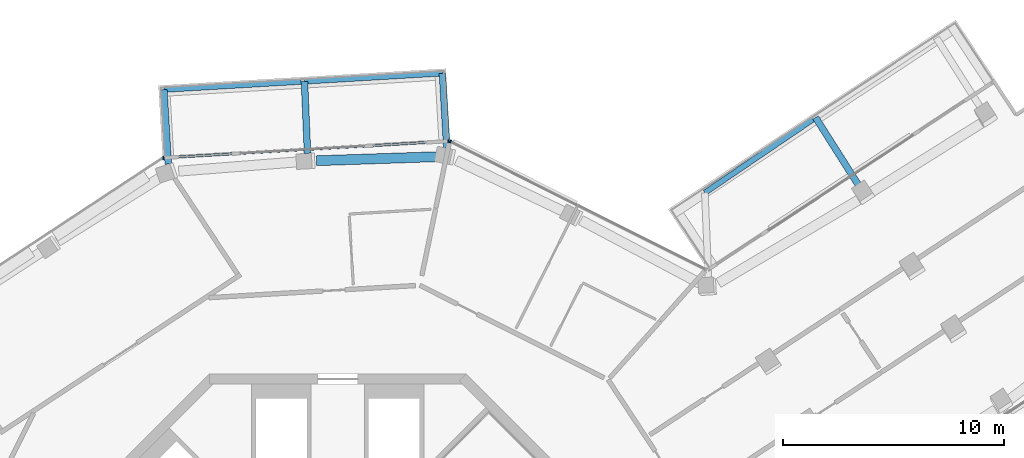
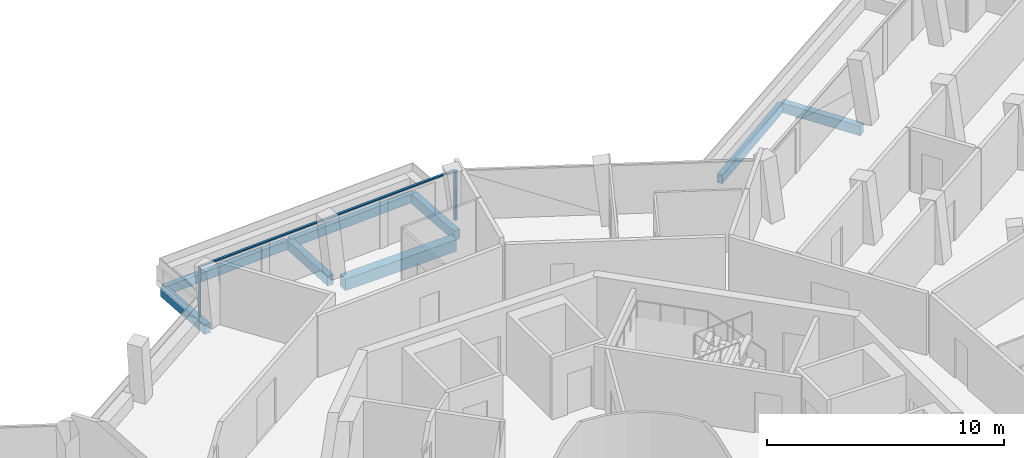
# One storey, part 10 of 26: 8 beams, 4 members, 2 elements without a shape of their own.
"""IFC4 building model written with IfcOpenShell, lengths in metres."""

from ifc_helpers import new_model, si_unit, direction, frame, origin, origin_2d, place, context, subcontext, project, spatial, rectangle, extrude, material, layer, layer_set, material_profile, profile_set, type_object, element, aggregate, save


model = new_model("IFC4")

# Units and contexts
model_context = context("Model", 3, precision=1e-05, world=origin(), true_north=direction((0.0, 1.0)))
body_context = subcontext(model_context, "Body", "Model", "MODEL_VIEW")
ifc_project = project(units=[si_unit("LENGTHUNIT", "METRE"), si_unit("AREAUNIT", "SQUARE_METRE"), si_unit("VOLUMEUNIT", "CUBIC_METRE"), si_unit("PLANEANGLEUNIT", "RADIAN"), si_unit("MASSUNIT", "GRAM", prefix="KILO")], contexts=[model_context])

# Site, building, storey
site_placement = place(None, origin())
site = spatial("IfcSite", under=ifc_project, at=site_placement, CompositionType="ELEMENT")
building_placement = place(site_placement, origin())
building = spatial("IfcBuilding", under=site, at=building_placement, Name="Verdalira Terraces Hotel", CompositionType="ELEMENT")
storey_placement = place(building_placement, frame((0.0, 0.0, 291.5)))
storey = spatial("IfcBuildingStorey", under=building, at=storey_placement, Name="L72", CompositionType="ELEMENT", Elevation=291.5)

# Beams
ifc_material_1 = material(Name="Concrete C40", Category="concrete")
ifc_material_profile_1 = material_profile(ifc_material_1, rectangle(XDim=0.300049, YDim=0.5, at=origin_2d()), Name="RC 300X500")
ifc_profile_set_1 = profile_set([ifc_material_profile_1], Name="Concrete C40")
beam_type_1 = type_object("IfcBeamType", Name="Balcony cantilever beam RC 300X500 C40", PredefinedType="BEAM", material=ifc_profile_set_1)
beam_1_placement = place(storey_placement, frame((23.620117, 22.378418, -0.560059), z_axis=(-0.535793595, 0.844348994, 0.0), x_axis=(-0.844348994, -0.535793595, 0.0)))
element("IfcBeam", 1, at=beam_1_placement, inside=storey, type_object=beam_type_1, Name="Balcony cantilever beam R38-2", PredefinedType="BEAM", context=body_context, shape_type="SweptSolid", body=[
    extrude(rectangle(XDim=0.300049, YDim=0.5, at=origin_2d()), origin(), (0.0, 0.0, 1.0), 3.797852),
])
beam_2_placement = place(storey_placement, frame((4.926514, 24.203125, -0.560059), z_axis=(-0.058624799, 0.998280087, 0.0), x_axis=(-0.998280087, -0.058624799, 0.0)))
element("IfcBeam", 2, at=beam_2_placement, inside=storey, type_object=beam_type_1, Name="Balcony cantilever beam R40-1", PredefinedType="BEAM", context=body_context, shape_type="SweptSolid", body=[
    extrude(rectangle(XDim=0.300049, YDim=0.5, at=origin_2d()), origin(), (0.0, 0.0, 1.0), 3.385742),
])
beam_3_placement = place(storey_placement, frame((-1.366211, 23.968994, -0.560059), z_axis=(-0.041830462, 0.999124723, 0.0), x_axis=(-0.999124723, -0.041830462, 0.0)))
element("IfcBeam", 3, at=beam_3_placement, inside=storey, type_object=beam_type_1, Name="Balcony cantilever beam R40-2", PredefinedType="BEAM", context=body_context, shape_type="SweptSolid", body=[
    extrude(rectangle(XDim=0.300049, YDim=0.5, at=origin_2d()), origin(), (0.0, 0.0, 1.0), 3.250977),
])
beam_4_placement = place(storey_placement, frame((-7.656006, 23.479736, -0.560059), z_axis=(-0.058603122, 0.99828136, 0.0), x_axis=(-0.99828136, -0.058603122, 0.0)))
element("IfcBeam", 4, at=beam_4_placement, inside=storey, type_object=beam_type_1, Name="Balcony cantilever beam R40-3", PredefinedType="BEAM", context=body_context, shape_type="SweptSolid", body=[
    extrude(rectangle(XDim=0.300049, YDim=0.5, at=origin_2d()), origin(), (0.0, 0.0, 1.0), 3.370361),
])
ifc_material_2 = material(Name="Concrete C40", Category="concrete")
ifc_material_profile_2 = material_profile(ifc_material_2, rectangle(XDim=0.25, YDim=0.449951, at=origin_2d()), Name="RC 250X450")
ifc_profile_set_2 = profile_set([ifc_material_profile_2], Name="Concrete C40")
beam_type_2 = type_object("IfcBeamType", Name="Balcony edge beam RC 250X450 C40", PredefinedType="BEAM", material=ifc_profile_set_2)
beam_5_placement = place(storey_placement, frame((21.460938, 25.500977, -0.534912), z_axis=(-0.827119736, -0.562025749, 0.0), x_axis=(0.562025749, -0.827119736, 0.0)))
element("IfcBeam", 5, at=beam_5_placement, inside=storey, type_object=beam_type_2, Name="Balcony edge beam R38-2", PredefinedType="BEAM", context=body_context, shape_type="SweptSolid", body=[
    extrude(rectangle(XDim=0.25, YDim=0.449951, at=origin_2d()), origin(), (0.0, 0.0, 1.0), 5.896973),
])
beam_6_placement = place(storey_placement, frame((4.728027, 27.583008, -0.534912), z_axis=(-0.998279226, -0.058639467, 0.0), x_axis=(0.058639467, -0.998279226, 0.0)))
element("IfcBeam", 6, at=beam_6_placement, inside=storey, type_object=beam_type_2, Name="Balcony edge beam R40-1", PredefinedType="BEAM", context=body_context, shape_type="SweptSolid", body=[
    extrude(rectangle(XDim=0.25, YDim=0.449951, at=origin_2d()), origin(), (0.0, 0.0, 1.0), 6.240967),
])
beam_7_placement = place(storey_placement, frame((-1.6521, 27.208252, -0.534912), z_axis=(-0.998281684, -0.058597614, 0.0), x_axis=(0.058597614, -0.998281684, 0.0)))
element("IfcBeam", 7, at=beam_7_placement, inside=storey, type_object=beam_type_2, Name="Balcony edge beam R40-2", PredefinedType="BEAM", context=body_context, shape_type="SweptSolid", body=[
    extrude(rectangle(XDim=0.25, YDim=0.449951, at=origin_2d()), origin(), (0.0, 0.0, 1.0), 6.212158),
])

# Curtain wall, member
ifc_material_3 = material(Name="Clear glass", Category="glass")
ifc_layer = layer(ifc_material_3, 0.14990234375)
ifc_layer_set = layer_set([ifc_layer], Name="CW1 curtain wall")
curtain_wall_type = type_object("IfcCurtainWallType", Name="CW1 curtain wall", PredefinedType="NOTDEFINED", material=ifc_layer_set)
curtain_wall_1_placement = place(storey_placement, origin())
curtain_wall_1 = element("IfcCurtainWall", 8, at=curtain_wall_1_placement, inside=storey, type_object=curtain_wall_type, Name="CW1 curtain wall L72 edge 39", PredefinedType="NOTDEFINED")
ifc_material_4 = material(Name="Terracotta frame", Category="masonry")
ifc_material_profile_3 = material_profile(ifc_material_4, rectangle(XDim=0.060059, YDim=0.149902, at=origin_2d()), Name="MU 60x150")
ifc_profile_set_3 = profile_set([ifc_material_profile_3], Name="Terracotta frame")
member_type_1 = type_object("IfcMemberType", Name="CW1 mullion 60x150", PredefinedType="MULLION", material=ifc_profile_set_3)
member_1_placement = place(storey_placement, frame((5.096191, 24.499023, 0.0), z_axis=(0.0, 0.0, 1.0), x_axis=(-0.893841424, 0.448383216, 0.0)))
member_1 = element("IfcMember", 9, at=member_1_placement, type_object=member_type_1, Name="CW1 mullion", PredefinedType="MULLION", context=body_context, shape_type="SweptSolid", body=[
    extrude(rectangle(XDim=0.060059, YDim=0.149902, at=origin_2d()), origin(), (0.0, 0.0, 1.0), 2.524902),
])
aggregate(curtain_wall_1, [member_1])

# Curtain wall, members
curtain_wall_2_placement = place(storey_placement, origin())
curtain_wall_2 = element("IfcCurtainWall", 10, at=curtain_wall_2_placement, inside=storey, type_object=curtain_wall_type, Name="CW1 curtain wall L72 edge 40", PredefinedType="NOTDEFINED")
member_2_placement = place(storey_placement, frame((5.001465, 24.518555, 0.0), z_axis=(0.0, 0.0, 1.0), x_axis=(-0.998280988, -0.058609456, 0.0)))
member_2 = element("IfcMember", 11, at=member_2_placement, type_object=member_type_1, Name="CW1 mullion", PredefinedType="MULLION", context=body_context, shape_type="SweptSolid", body=[
    extrude(rectangle(XDim=0.060059, YDim=0.149902, at=origin_2d()), origin(), (0.0, 0.0, 1.0), 2.524902),
])
member_3_placement = place(storey_placement, frame((-7.876221, 23.762451, 0.0), z_axis=(0.0, 0.0, 1.0), x_axis=(-0.998280988, -0.058609456, 0.0)))
member_3 = element("IfcMember", 12, at=member_3_placement, type_object=member_type_1, Name="CW1 mullion", PredefinedType="MULLION", context=body_context, shape_type="SweptSolid", body=[
    extrude(rectangle(XDim=0.060059, YDim=0.149902, at=origin_2d()), origin(), (0.0, 0.0, 1.0), 2.524902),
])
ifc_material_5 = material(Name="Terracotta frame", Category="masonry")
ifc_material_profile_4 = material_profile(ifc_material_5, rectangle(XDim=0.110107, YDim=0.064941, at=origin_2d()), Name="TR 65x110")
ifc_profile_set_4 = profile_set([ifc_material_profile_4], Name="Terracotta frame")
member_type_2 = type_object("IfcMemberType", Name="CW1 transom 65x110", PredefinedType="USERDEFINED", material=ifc_profile_set_4)
member_4_placement = place(storey_placement, frame((5.03125, 24.520264, 2.557617), z_axis=(-0.998281187, -0.058606068, 0.0), x_axis=(0.058606068, -0.998281187, 0.0)))
member_4 = element("IfcMember", 13, at=member_4_placement, type_object=member_type_2, Name="CW1 transom", ObjectType="TRANSOM", PredefinedType="USERDEFINED", context=body_context, shape_type="SweptSolid", body=[
    extrude(rectangle(XDim=0.110107, YDim=0.064941, at=origin_2d()), origin(), (0.0, 0.0, 1.0), 12.959717),
])
aggregate(curtain_wall_2, [member_2, member_3, member_4])

# Beam
ifc_material_6 = material(Name="Concrete C40", Category="concrete")
ifc_material_profile_5 = material_profile(ifc_material_6, rectangle(XDim=0.449951, YDim=0.600098, at=origin_2d()), Name="RC 450X600")
ifc_profile_set_5 = profile_set([ifc_material_profile_5], Name="Concrete C40")
beam_type_3 = type_object("IfcBeamType", Name="Spandrel beam RC 450X600 C40", PredefinedType="SPANDREL", material=ifc_profile_set_5)
beam_8_placement = place(storey_placement, frame((4.555664, 23.818115, -0.610107), z_axis=(-0.99943861, -0.033503205, 0.0), x_axis=(0.033503205, -0.99943861, 0.0)))
element("IfcBeam", 14, at=beam_8_placement, inside=storey, type_object=beam_type_3, Name="Spandrel beam B26", PredefinedType="SPANDREL", context=body_context, shape_type="SweptSolid", body=[
    extrude(rectangle(XDim=0.449951, YDim=0.600098, at=origin_2d()), origin(), (0.0, 0.0, 1.0), 5.523682),
])

save(model, "model.ifc")
